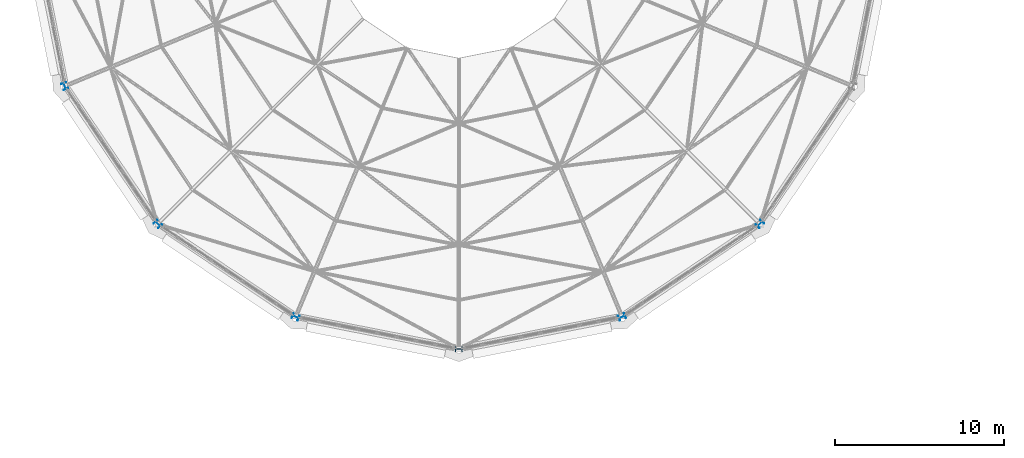
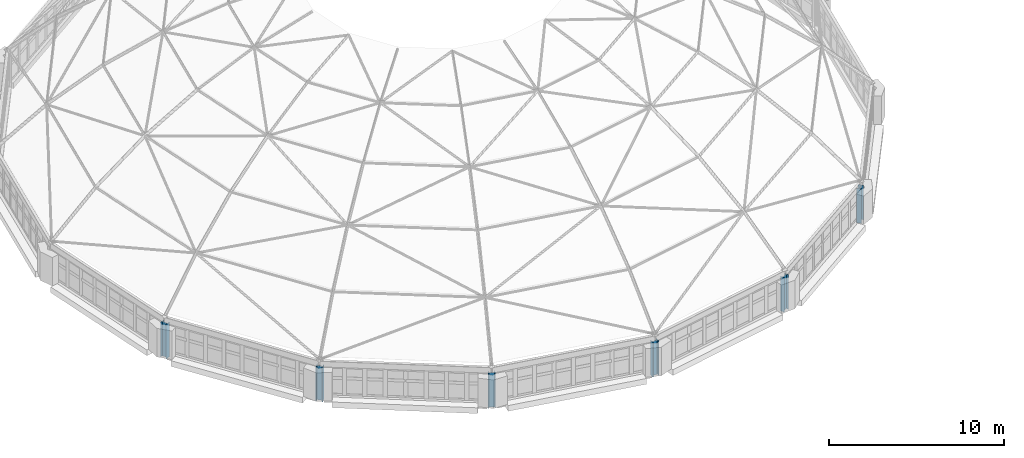
# One storey, part 1 of 68: 6 columns.
"""IFC4 building model written with IfcOpenShell, lengths in metres."""

from ifc_helpers import new_model, si_unit, direction, frame, origin, origin_2d, place, context, subcontext, project, spatial, i_section, extrude, material, material_profile, profile_set, type_object, element, save


model = new_model("IFC4")

# Units and contexts
model_context = context("Model", 3, precision=1e-05, world=origin(), true_north=direction((0.0, 1.0)))
body_context = subcontext(model_context, "Body", "Model", "MODEL_VIEW")
ifc_project = project(units=[si_unit("LENGTHUNIT", "METRE"), si_unit("AREAUNIT", "SQUARE_METRE"), si_unit("VOLUMEUNIT", "CUBIC_METRE"), si_unit("PLANEANGLEUNIT", "RADIAN"), si_unit("MASSUNIT", "GRAM", prefix="KILO")], contexts=[model_context])

# Site, building, storey
site_placement = place(None, origin())
site = spatial("IfcSite", under=ifc_project, at=site_placement, CompositionType="ELEMENT")
building_placement = place(site_placement, origin())
building = spatial("IfcBuilding", under=site, at=building_placement, Name="Kupolbacken Congress Centre", CompositionType="ELEMENT")
storey_placement = place(building_placement, frame((0.0, 0.0, 25.199951171875)))
storey = spatial("IfcBuildingStorey", under=building, at=storey_placement, Name="L07", CompositionType="ELEMENT", Elevation=25.199951171875)

# Columns
ifc_material = material(Name="Steel S355", Category="steel")
ifc_material_profile = material_profile(ifc_material, i_section(OverallWidth=0.300048828125, OverallDepth=0.39990234375, WebThickness=0.013427734375, FlangeThickness=0.02392578125, FilletRadius=0.027099609375, at=origin_2d()), Name="HEB 400")
ifc_profile_set = profile_set([ifc_material_profile], Name="Steel S355")
column_type = type_object("IfcColumnType", Name="C08 column HEB 400", PredefinedType="COLUMN", material=ifc_profile_set)
for number, where, z_axis, x_axis, name in (
    (1, (19.89990234375, 76.75, 0.0), (0.0, 0.0, 1.0), (-0.923896018243, -0.382643629864, 0.0), "S/col/C-D10/L07"),
    (2, (25.39990234375, 68.60009765625, 0.0), (0.0, 0.0, 1.0), (-0.707106781187, -0.707106781187, 0.0), "S/col/C-D11/L07"),
    (3, (33.550048828125, 63.10009765625, 0.0), (0.0, 0.0, 1.0), (-0.382643629864, -0.923896018243, 0.0), "S/col/C-D12/L07"),
    (4, (43.199951171875, 61.199951171875, 0.0), (0.0, 0.0, 1.0), (0.0, -1.0, 0.0), "S/col/C-D13/L07"),
    (5, (52.85009765625, 63.10009765625, 0.0), (0.0, 0.0, 1.0), (0.382643629864, -0.923896018243, 0.0), "S/col/C-D14/L07"),
    (6, (61.0, 68.60009765625, 0.0), (0.0, 0.0, 1.0), (0.707106781187, -0.707106781187, 0.0), "S/col/C-D15/L07"),
):
    element("IfcColumn", number, at=place(storey_placement, frame(where, z_axis=z_axis, x_axis=x_axis)), inside=storey, type_object=column_type, Name=name, PredefinedType="COLUMN", context=body_context, shape_type="SweptSolid", body=[
        extrude(i_section(OverallWidth=0.300048828125, OverallDepth=0.39990234375, WebThickness=0.013427734375, FlangeThickness=0.02392578125, FilletRadius=0.027099609375, at=origin_2d()), origin(), (0.0, 0.0, 1.0), 2.400146484375),
    ])

save(model, "model.ifc")
